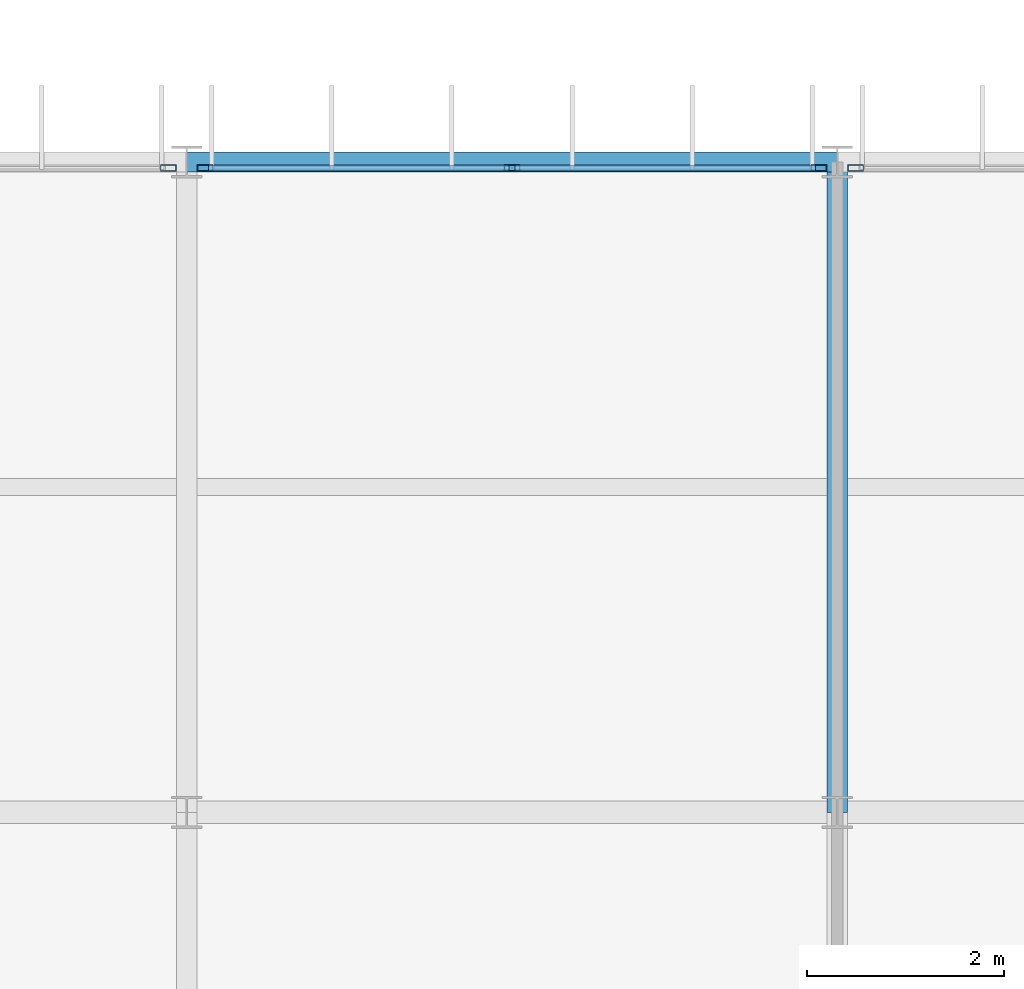
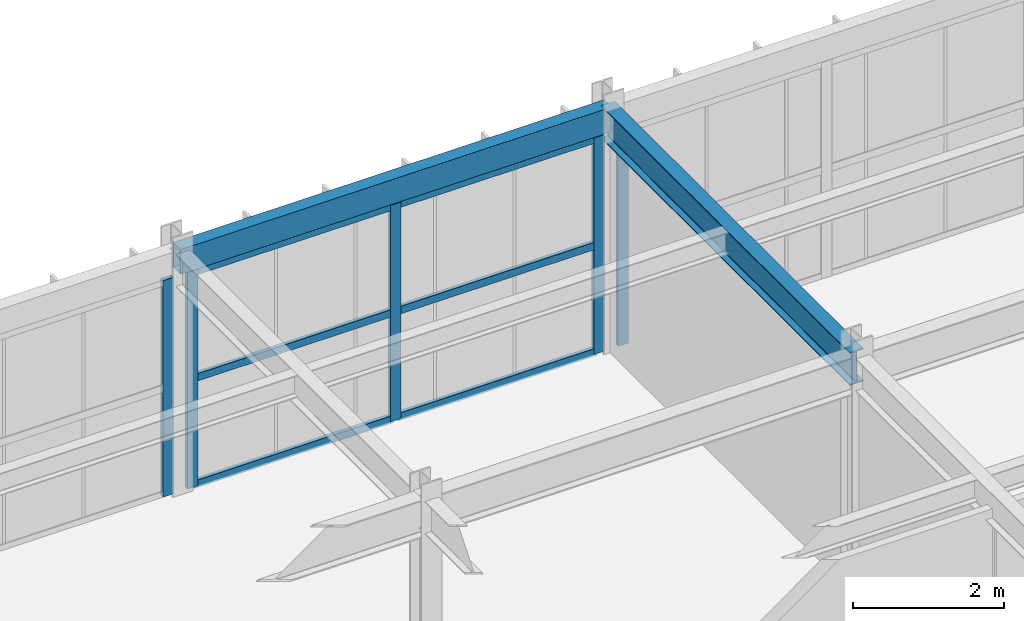
# One storey, part 82 of 130: 11 members, 2 beams, 3 elements without a shape of their own.
"""IFC4 building model written with IfcOpenShell, lengths in metres."""

from ifc_helpers import new_model, si_unit, direction, frame, origin, origin_2d, place, context, subcontext, project, spatial, hollow_rectangle, i_section, extrude, material, material_profile, profile_set, type_object, element, aggregate, save


model = new_model("IFC4")

# Units and contexts
model_context = context("Model", 3, precision=1e-05, world=origin(), true_north=direction((0.0, 1.0)))
body_context = subcontext(model_context, "Body", "Model", "MODEL_VIEW")
ifc_project = project(units=[si_unit("LENGTHUNIT", "METRE"), si_unit("AREAUNIT", "SQUARE_METRE"), si_unit("VOLUMEUNIT", "CUBIC_METRE"), si_unit("PLANEANGLEUNIT", "RADIAN"), si_unit("MASSUNIT", "GRAM", prefix="KILO")], contexts=[model_context])

# Site, building, storey
site_placement = place(None, origin())
site = spatial("IfcSite", under=ifc_project, at=site_placement, CompositionType="ELEMENT")
building_placement = place(site_placement, origin())
building = spatial("IfcBuilding", under=site, at=building_placement, Name="Karori Crest Natural Sciences Institute", CompositionType="ELEMENT")
storey_placement = place(building_placement, frame((0.0, 0.0, 17.5)))
storey = spatial("IfcBuildingStorey", under=building, at=storey_placement, Name="L04", CompositionType="ELEMENT", Elevation=17.5)

# Beams
ifc_material_1 = material(Name="Structural steel AS/NZS 3679.1 Grade 350", Category="steel")
ifc_material_profile_1 = material_profile(ifc_material_1, i_section(OverallWidth=0.208984375, OverallDepth=0.532958984375, WebThickness=0.01025390625, FlangeThickness=0.015625, FilletRadius=0.013916015625, at=origin_2d()), Name="530UB92.4")
ifc_profile_set_1 = profile_set([ifc_material_profile_1], Name="Structural steel AS/NZS 3679.1 Grade 350")
beam_type_1 = type_object("IfcBeamType", Name="BT-05", PredefinedType="BEAM", material=ifc_profile_set_1)
beam_1_placement = place(storey_placement, frame((136.60009765625, 14.0, 3.653564453125), z_axis=(0.0, 1.0, 0.0), x_axis=(-1.0, 0.0, 0.0)))
element("IfcBeam", 1, at=beam_1_placement, inside=storey, type_object=beam_type_1, Name="Beam B-2418", PredefinedType="BEAM", context=body_context, shape_type="SweptSolid", body=[
    extrude(i_section(OverallWidth=0.208984375, OverallDepth=0.532958984375, WebThickness=0.01025390625, FlangeThickness=0.015625, FilletRadius=0.013916015625, at=origin_2d()), origin(), (0.0, 0.0, 1.0), 6.60009765625),
])
ifc_material_2 = material(Name="Hollow structural steel AS/NZS 1163 Grade C350", Category="steel")
ifc_material_profile_2 = material_profile(ifc_material_2, hollow_rectangle(XDim=0.199951171875, YDim=0.39990234375, WallThickness=0.012451171875, at=origin_2d()), Name="RHS400x200x12.5")
ifc_profile_set_2 = profile_set([ifc_material_profile_2], Name="Hollow structural steel AS/NZS 1163 Grade C350")
beam_type_2 = type_object("IfcBeamType", Name="BT-14", PredefinedType="SPANDREL", material=ifc_profile_set_2)
beam_2_placement = place(storey_placement, frame((130.0, 20.60009765625, 3.719970703125), z_axis=(1.0, 0.0, 0.0), x_axis=(0.0, 1.0, 0.0)))
element("IfcBeam", 2, at=beam_2_placement, inside=storey, type_object=beam_type_2, Name="Beam B-2396", PredefinedType="SPANDREL", context=body_context, shape_type="SweptSolid", body=[
    extrude(hollow_rectangle(XDim=0.199951171875, YDim=0.39990234375, WallThickness=0.012451171875, at=origin_2d()), origin(), (0.0, 0.0, 1.0), 6.60009765625),
])

# Curtain wall, member
ifc_material_3 = material(Name="Anodised architectural aluminium 6063-T6", Category="aluminium")
curtain_wall_type = type_object("IfcCurtainWallType", Name="CWT-20", PredefinedType="NOTDEFINED", material=ifc_material_3)
curtain_wall_1_placement = place(storey_placement, origin())
curtain_wall_1 = element("IfcCurtainWall", 3, at=curtain_wall_1_placement, inside=storey, type_object=curtain_wall_type, Name="Curtain wall CW-0334", PredefinedType="NOTDEFINED")
ifc_material_profile_3 = material_profile(ifc_material_3, hollow_rectangle(XDim=0.06494140625, YDim=0.159912109375, WallThickness=0.00390625, at=origin_2d()), Name="CWM160x65x4")
ifc_profile_set_3 = profile_set([ifc_material_profile_3], Name="Anodised architectural aluminium 6063-T6")
member_type_1 = type_object("IfcMemberType", Name="CWM-01", PredefinedType="MULLION", material=ifc_profile_set_3)
member_1_placement = place(storey_placement, frame((129.81396484375, 20.5400390625, 0.0), z_axis=(0.0, 0.0, 1.0), x_axis=(0.0, 1.0, 0.0)))
member_1 = element("IfcMember", 4, at=member_1_placement, type_object=member_type_1, Name="CW-0334 mullion 3", PredefinedType="MULLION", context=body_context, shape_type="SweptSolid", body=[
    extrude(hollow_rectangle(XDim=0.06494140625, YDim=0.159912109375, WallThickness=0.00390625, at=origin_2d()), origin(), (0.0, 0.0, 1.0), 3.5048828125),
])
aggregate(curtain_wall_1, [member_1])

# Curtain wall, members
curtain_wall_2_placement = place(storey_placement, origin())
curtain_wall_2 = element("IfcCurtainWall", 5, at=curtain_wall_2_placement, inside=storey, type_object=curtain_wall_type, Name="Curtain wall CW-0335", PredefinedType="NOTDEFINED")
member_2_placement = place(storey_placement, frame((130.18603515625, 20.5400390625, 0.0), z_axis=(0.0, 0.0, 1.0), x_axis=(0.0, 1.0, 0.0)))
member_2 = element("IfcMember", 6, at=member_2_placement, type_object=member_type_1, Name="CW-0335 mullion 1", PredefinedType="MULLION", context=body_context, shape_type="SweptSolid", body=[
    extrude(hollow_rectangle(XDim=0.06494140625, YDim=0.159912109375, WallThickness=0.00390625, at=origin_2d()), origin(), (0.0, 0.0, 1.0), 3.5048828125),
])
member_3_placement = place(storey_placement, frame((133.300048828125, 20.5400390625, 0.0), z_axis=(0.0, 0.0, 1.0), x_axis=(0.0, 1.0, 0.0)))
member_3 = element("IfcMember", 7, at=member_3_placement, type_object=member_type_1, Name="CW-0335 mullion 2", PredefinedType="MULLION", context=body_context, shape_type="SweptSolid", body=[
    extrude(hollow_rectangle(XDim=0.06494140625, YDim=0.159912109375, WallThickness=0.00390625, at=origin_2d()), origin(), (0.0, 0.0, 1.0), 3.5048828125),
])
member_4_placement = place(storey_placement, frame((136.4140625, 20.5400390625, 0.0), z_axis=(0.0, 0.0, 1.0), x_axis=(0.0, 1.0, 0.0)))
member_4 = element("IfcMember", 8, at=member_4_placement, type_object=member_type_1, Name="CW-0335 mullion 3", PredefinedType="MULLION", context=body_context, shape_type="SweptSolid", body=[
    extrude(hollow_rectangle(XDim=0.06494140625, YDim=0.159912109375, WallThickness=0.00390625, at=origin_2d()), origin(), (0.0, 0.0, 1.0), 3.5048828125),
])

# Curtain wall, member
curtain_wall_3_placement = place(storey_placement, origin())
curtain_wall_3 = element("IfcCurtainWall", 9, at=curtain_wall_3_placement, inside=storey, type_object=curtain_wall_type, Name="Curtain wall CW-0336", PredefinedType="NOTDEFINED")
member_5_placement = place(storey_placement, frame((136.785888671875, 20.5400390625, 0.0), z_axis=(0.0, 0.0, 1.0), x_axis=(0.0, 1.0, 0.0)))
member_5 = element("IfcMember", 10, at=member_5_placement, type_object=member_type_1, Name="CW-0336 mullion 1", PredefinedType="MULLION", context=body_context, shape_type="SweptSolid", body=[
    extrude(hollow_rectangle(XDim=0.06494140625, YDim=0.159912109375, WallThickness=0.00390625, at=origin_2d()), origin(), (0.0, 0.0, 1.0), 3.5048828125),
])
aggregate(curtain_wall_3, [member_5])

# Member
ifc_material_profile_4 = material_profile(ifc_material_3, hollow_rectangle(XDim=0.06005859375, YDim=0.1201171875, WallThickness=0.00390625, at=origin_2d()), Name="CWT120x60x4")
ifc_profile_set_4 = profile_set([ifc_material_profile_4], Name="Anodised architectural aluminium 6063-T6")
member_type_2 = type_object("IfcMemberType", Name="CWT-TR1", PredefinedType="USERDEFINED", material=ifc_profile_set_4)
member_6_placement = place(storey_placement, frame((130.218505859375, 20.5400390625, 0.030029296875), z_axis=(1.0, 0.0, 0.0), x_axis=(0.0, 1.0, 0.0)))
member_6 = element("IfcMember", 11, at=member_6_placement, type_object=member_type_2, Name="CW-0335 transom 1.1", ObjectType="TRANSOM", PredefinedType="USERDEFINED", context=body_context, shape_type="SweptSolid", body=[
    extrude(hollow_rectangle(XDim=0.06005859375, YDim=0.1201171875, WallThickness=0.00390625, at=origin_2d()), origin(), (0.0, 0.0, 1.0), 3.049072265625),
])

member_7_placement = place(storey_placement, frame((130.218505859375, 20.5400390625, 1.75244140625), z_axis=(1.0, 0.0, 0.0), x_axis=(0.0, 1.0, 0.0)))
member_7 = element("IfcMember", 12, at=member_7_placement, type_object=member_type_2, Name="CW-0335 transom 1.2", ObjectType="TRANSOM", PredefinedType="USERDEFINED", context=body_context, shape_type="SweptSolid", body=[
    extrude(hollow_rectangle(XDim=0.06005859375, YDim=0.1201171875, WallThickness=0.00390625, at=origin_2d()), origin(), (0.0, 0.0, 1.0), 3.049072265625),
])

member_8_placement = place(storey_placement, frame((130.218505859375, 20.5400390625, 3.47509765625), z_axis=(1.0, 0.0, 0.0), x_axis=(0.0, 1.0, 0.0)))
member_8 = element("IfcMember", 13, at=member_8_placement, type_object=member_type_2, Name="CW-0335 transom 1.3", ObjectType="TRANSOM", PredefinedType="USERDEFINED", context=body_context, shape_type="SweptSolid", body=[
    extrude(hollow_rectangle(XDim=0.06005859375, YDim=0.1201171875, WallThickness=0.00390625, at=origin_2d()), origin(), (0.0, 0.0, 1.0), 3.049072265625),
])

member_9_placement = place(storey_placement, frame((133.33251953125, 20.5400390625, 0.030029296875), z_axis=(1.0, 0.0, 0.0), x_axis=(0.0, 1.0, 0.0)))
member_9 = element("IfcMember", 14, at=member_9_placement, type_object=member_type_2, Name="CW-0335 transom 2.1", ObjectType="TRANSOM", PredefinedType="USERDEFINED", context=body_context, shape_type="SweptSolid", body=[
    extrude(hollow_rectangle(XDim=0.06005859375, YDim=0.1201171875, WallThickness=0.00390625, at=origin_2d()), origin(), (0.0, 0.0, 1.0), 3.049072265625),
])

member_10_placement = place(storey_placement, frame((133.33251953125, 20.5400390625, 1.75244140625), z_axis=(1.0, 0.0, 0.0), x_axis=(0.0, 1.0, 0.0)))
member_10 = element("IfcMember", 15, at=member_10_placement, type_object=member_type_2, Name="CW-0335 transom 2.2", ObjectType="TRANSOM", PredefinedType="USERDEFINED", context=body_context, shape_type="SweptSolid", body=[
    extrude(hollow_rectangle(XDim=0.06005859375, YDim=0.1201171875, WallThickness=0.00390625, at=origin_2d()), origin(), (0.0, 0.0, 1.0), 3.049072265625),
])

member_11_placement = place(storey_placement, frame((133.33251953125, 20.5400390625, 3.47509765625), z_axis=(1.0, 0.0, 0.0), x_axis=(0.0, 1.0, 0.0)))
member_11 = element("IfcMember", 16, at=member_11_placement, type_object=member_type_2, Name="CW-0335 transom 2.3", ObjectType="TRANSOM", PredefinedType="USERDEFINED", context=body_context, shape_type="SweptSolid", body=[
    extrude(hollow_rectangle(XDim=0.06005859375, YDim=0.1201171875, WallThickness=0.00390625, at=origin_2d()), origin(), (0.0, 0.0, 1.0), 3.049072265625),
])

aggregate(curtain_wall_2, [member_2, member_3, member_4, member_6, member_7, member_8, member_9, member_10, member_11])

save(model, "model.ifc")
